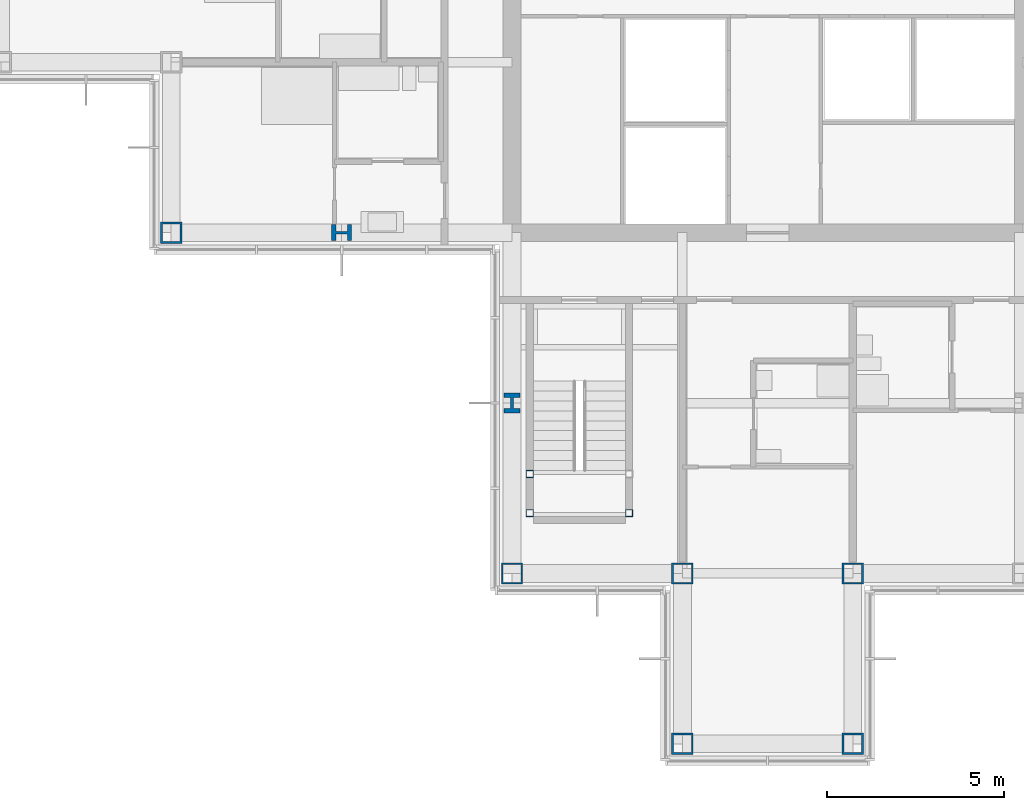
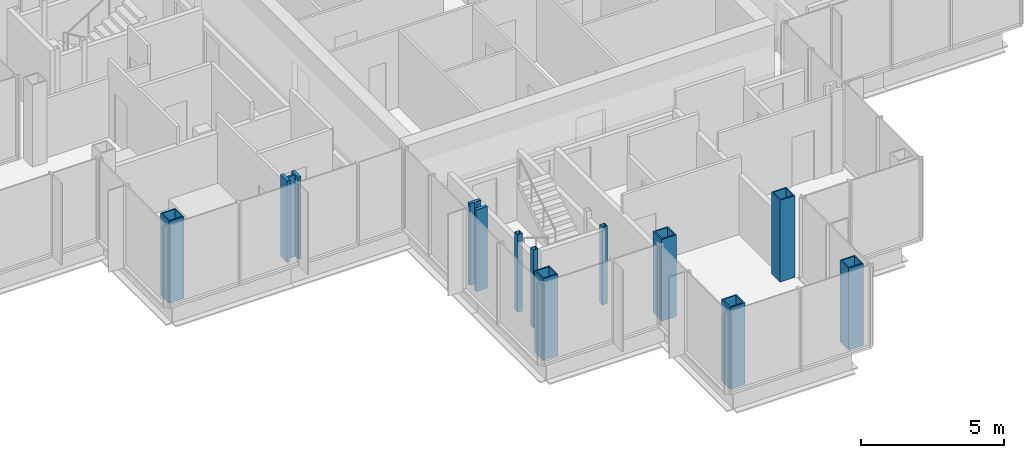
# One storey, part 1 of 15: 11 columns.
"""IFC4 building model written with IfcOpenShell, lengths in metres."""

from ifc_helpers import new_model, si_unit, direction, frame, origin, origin_2d, place, context, subcontext, project, spatial, hollow_rectangle, i_section, extrude, material, material_profile, profile_set, type_object, element, save


model = new_model("IFC4")

# Units and contexts
model_context = context("Model", 3, precision=1e-05, world=origin(), true_north=direction((0.0, 1.0)))
body_context = subcontext(model_context, "Body", "Model", "MODEL_VIEW")
ifc_project = project(units=[si_unit("LENGTHUNIT", "METRE"), si_unit("AREAUNIT", "SQUARE_METRE"), si_unit("VOLUMEUNIT", "CUBIC_METRE"), si_unit("PLANEANGLEUNIT", "RADIAN"), si_unit("MASSUNIT", "GRAM", prefix="KILO")], contexts=[model_context])

# Site, building, storey
site_placement = place(None, origin())
site = spatial("IfcSite", under=ifc_project, at=site_placement, CompositionType="ELEMENT")
building_placement = place(site_placement, origin())
building = spatial("IfcBuilding", under=site, at=building_placement, Name="Kvirike Care Tower", CompositionType="ELEMENT")
storey_placement = place(building_placement, frame((0.0, 0.0, 205.0)))
storey = spatial("IfcBuildingStorey", under=building, at=storey_placement, Name="L56", CompositionType="ELEMENT", Elevation=205.0)

# Columns
ifc_material_1 = material(Name="Steel S460", Category="steel")
ifc_material_profile_1 = material_profile(ifc_material_1, hollow_rectangle(XDim=0.60009765625, YDim=0.60009765625, WallThickness=0.050048828125, at=origin_2d()), Name="BX 600x600x50")
ifc_profile_set_1 = profile_set([ifc_material_profile_1], Name="Steel S460")
column_type_1 = type_object("IfcColumnType", Name="COLUMN BX 600x600x50", PredefinedType="COLUMN", material=ifc_profile_set_1)
for number, where, z_axis, x_axis, name in (
    (1, (4.800048828125, 28.800048828125, 0.0), (0.0, 0.0, 1.0), (0.0, 1.0, 0.0), "Column G4 L56"),
    (2, (14.39990234375, 19.199951171875, 0.0), (0.0, 0.0, 1.0), (0.0, 1.0, 0.0), "Column E6 L56"),
    (3, (19.199951171875, 14.39990234375, 0.0), (0.0, 0.0, 1.0), (0.0, 1.0, 0.0), "Column D7 L56"),
    (4, (19.199951171875, 19.199951171875, 0.0), (0.0, 0.0, 1.0), (0.0, 1.0, 0.0), "Column E7 L56"),
    (5, (24.0, 14.39990234375, 0.0), (0.0, 0.0, 1.0), (0.0, 1.0, 0.0), "Column D8 L56"),
    (6, (24.0, 19.199951171875, 0.0), (0.0, 0.0, 1.0), (0.0, 1.0, 0.0), "Column E8 L56"),
):
    element("IfcColumn", number, at=place(storey_placement, frame(where, z_axis=z_axis, x_axis=x_axis)), inside=storey, type_object=column_type_1, Name=name, PredefinedType="COLUMN", context=body_context, shape_type="SweptSolid", body=[
        extrude(hollow_rectangle(XDim=0.60009765625, YDim=0.60009765625, WallThickness=0.050048828125, at=origin_2d()), origin(), (0.0, 0.0, 1.0), 3.5),
    ])
ifc_material_2 = material(Name="Steel S460", Category="steel")
ifc_material_profile_2 = material_profile(ifc_material_2, i_section(OverallWidth=0.4541015625, OverallDepth=0.569091796875, WebThickness=0.077880859375, FlangeThickness=0.125, FilletRadius=0.014892578125, at=origin_2d()), Name="HD 400x1086")
ifc_profile_set_2 = profile_set([ifc_material_profile_2], Name="Steel S460")
column_type_2 = type_object("IfcColumnType", Name="COLUMN HD 400x1086", PredefinedType="COLUMN", material=ifc_profile_set_2)
for number, where, z_axis, x_axis, name in (
    (7, (9.60009765625, 28.800048828125, 0.0), (0.0, 0.0, 1.0), (0.0, 1.0, 0.0), "Column G5 L56"),
    (8, (14.39990234375, 24.0, 0.0), (0.0, 0.0, 1.0), (1.0, 0.0, 0.0), "Column F6 L56"),
):
    element("IfcColumn", number, at=place(storey_placement, frame(where, z_axis=z_axis, x_axis=x_axis)), inside=storey, type_object=column_type_2, Name=name, PredefinedType="COLUMN", context=body_context, shape_type="SweptSolid", body=[
        extrude(i_section(OverallWidth=0.4541015625, OverallDepth=0.569091796875, WebThickness=0.077880859375, FlangeThickness=0.125, FilletRadius=0.014892578125, at=origin_2d()), origin(), (0.0, 0.0, 1.0), 3.5),
    ])
ifc_material_3 = material(Name="Steel S460", Category="steel")
ifc_material_profile_3 = material_profile(ifc_material_3, hollow_rectangle(XDim=0.199951171875, YDim=0.199951171875, WallThickness=0.008056640625, at=origin_2d()), Name="SHS 200x200x8")
ifc_profile_set_3 = profile_set([ifc_material_profile_3], Name="Steel S460")
column_type_3 = type_object("IfcColumnType", Name="STAIR POST SHS 200x200x8", PredefinedType="COLUMN", material=ifc_profile_set_3)
for number, where, z_axis, x_axis, name in (
    (9, (14.89990234375, 20.89990234375, 0.0), (0.0, 0.0, 1.0), (1.0, 0.0, 0.0), "Stair 5 post 1 L56"),
    (10, (17.699951171875, 20.89990234375, 0.0), (0.0, 0.0, 1.0), (1.0, 0.0, 0.0), "Stair 5 post 2 L56"),
    (11, (14.89990234375, 22.0, 0.0), (0.0, 0.0, 1.0), (1.0, 0.0, 0.0), "Stair 5 post 3 L56"),
):
    element("IfcColumn", number, at=place(storey_placement, frame(where, z_axis=z_axis, x_axis=x_axis)), inside=storey, type_object=column_type_3, Name=name, PredefinedType="COLUMN", context=body_context, shape_type="SweptSolid", body=[
        extrude(hollow_rectangle(XDim=0.199951171875, YDim=0.199951171875, WallThickness=0.008056640625, at=origin_2d()), origin(), (0.0, 0.0, 1.0), 3.330078125),
    ])

save(model, "model.ifc")
